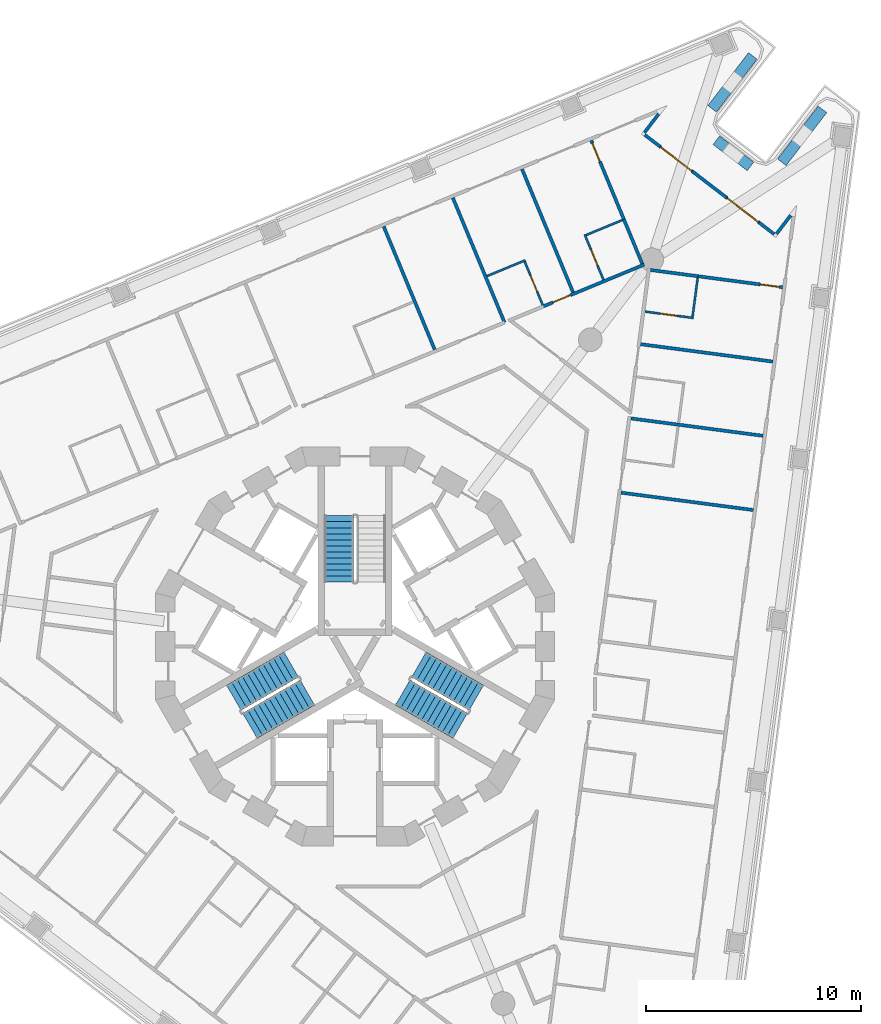
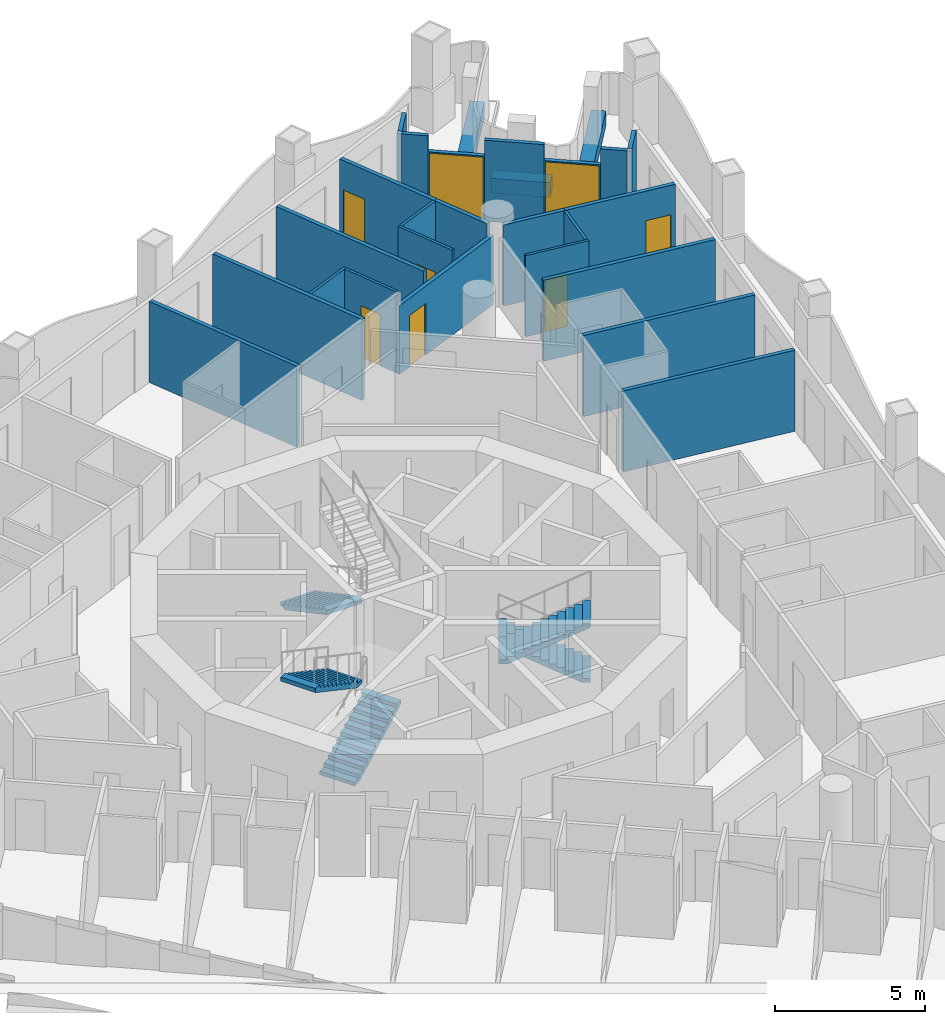
# One storey, part 10 of 18: 27 walls, 8 doors, 5 stair flights, 8 openings, 3 elements without a shape of their own.
"""IFC4 building model written with IfcOpenShell, lengths in metres."""

from ifc_helpers import new_model, si_unit, direction, frame, frame_2d, origin, place, context, subcontext, project, spatial, polyline, rectangle, outline, extrude, material, layer, layer_set, type_object, element, fill, aggregate, save


model = new_model("IFC4")

# Units and contexts
model_context = context("Model", 3, precision=1e-05, world=origin(), true_north=direction((0.0, 1.0)))
body_context = subcontext(model_context, "Body", "Model", "MODEL_VIEW")
ifc_project = project(units=[si_unit("LENGTHUNIT", "METRE"), si_unit("AREAUNIT", "SQUARE_METRE"), si_unit("VOLUMEUNIT", "CUBIC_METRE"), si_unit("PLANEANGLEUNIT", "RADIAN"), si_unit("MASSUNIT", "GRAM", prefix="KILO")], contexts=[model_context])

# Site, building, storey
site_placement = place(None, origin())
site = spatial("IfcSite", under=ifc_project, at=site_placement, CompositionType="ELEMENT")
building_placement = place(site_placement, origin())
building = spatial("IfcBuilding", under=site, at=building_placement, Name="Trine Commons Tower", CompositionType="ELEMENT")
storey_placement = place(building_placement, frame((0.0, 0.0, 145.800048828125)))
storey = spatial("IfcBuildingStorey", under=building, at=storey_placement, Name="L37", CompositionType="ELEMENT", Elevation=145.800048828125)

# Walls
ifc_material_1 = material(Name="Aluminium-framed insulated wall panel", Category="aluminium")
ifc_layer_1 = layer(ifc_material_1, 0.14990234375)
ifc_layer_set_1 = layer_set([ifc_layer_1], Name="Aluminium-framed insulated wall panel")
wall_type_1 = type_object("IfcWallType", Name="Glazed frame wall 150, EI 60", PredefinedType="SOLIDWALL", material=ifc_layer_set_1)
wall_1_placement = place(storey_placement, frame((94.193115234375, 87.345703125, 0.0), z_axis=(0.0, 0.0, 1.0), x_axis=(-0.608762998157, -0.793352136239, 0.0)))
element("IfcWall", 1, at=wall_1_placement, inside=storey, type_object=wall_type_1, Name="Glazed frame wall R5", PredefinedType="SOLIDWALL", context=body_context, shape_type="SweptSolid", body=[
    extrude(outline(polyline([(0.1494140625, 0.074951171875), (0.1494140625, -0.074951171875), (1.235107421875, -0.074951171875), (1.235107421875, 0.074951171875), (0.1494140625, 0.074951171875)])), origin(), (0.0, 0.0, 1.0), 3.300048828125),
])
wall_2_placement = place(storey_placement, frame((93.36767578125, 86.32763671875, 0.0), z_axis=(0.0, 0.0, 1.0), x_axis=(0.793331259853, -0.608790203715, 0.0)))
element("IfcWall", 2, at=wall_2_placement, inside=storey, type_object=wall_type_1, Name="Glazed frame wall P2.1", PredefinedType="SOLIDWALL", context=body_context, shape_type="SweptSolid", body=[
    extrude(outline(polyline([(0.110107421875, -0.074951171875), (1.0, -0.074951171875), (1.0, 0.074951171875), (0.110107421875, 0.074951171875), (0.110107421875, -0.074951171875)])), origin(), (0.0, 0.0, 1.0), 3.300048828125),
])

# Wall, opening, door
wall_3_placement = place(storey_placement, frame((94.1611328125, 85.71875, 0.0), z_axis=(0.0, 0.0, 1.0), x_axis=(0.793382932281, -0.608722862036, 0.0)))
wall_3 = element("IfcWall", 3, at=wall_3_placement, inside=storey, type_object=wall_type_1, Name="Glazed frame wall P2.2", PredefinedType="SOLIDWALL", context=body_context, shape_type="SweptSolid", body=[
    extrude(outline(polyline([(0.0, -0.074951171875), (1.89990234375, -0.074951171875), (1.89990234375, 0.074951171875), (0.0, 0.074951171875), (0.0, -0.074951171875)])), origin(), (0.0, 0.0, 1.0), 2.64990234375),
])
opening_1_placement = place(wall_3_placement, frame((0.050048828125, 0.0, 0.0)))
opening_1 = element("IfcOpeningElement", 4, at=opening_1_placement, cuts=wall_3, Name="Opening BD-4P2-01", PredefinedType="OPENING", context=body_context, shape_type="SweptSolid", body=[
    extrude(rectangle(XDim=1.800048828125, YDim=2.60009765625, at=frame_2d((0.89990234375, 1.300048828125))), frame((0.0, 0.0849609375, 0.0), z_axis=(0.0, -1.0, 0.0), x_axis=(1.0, 0.0, 0.0)), (0.0, 0.0, 1.0), 0.169921875),
])
ifc_material_2 = material(Name="Anodised aluminium frame with double glazing", Category="aluminium")
door_type_1 = type_object("IfcDoorType", Name="Sliding loggia door 1800x2600", OperationType="SLIDING_TO_LEFT", PredefinedType="DOOR", material=ifc_material_2)
door_1_placement = place(opening_1_placement, origin())
door_1 = element("IfcDoor", 5, at=door_1_placement, inside=storey, type_object=door_type_1, Name="Loggia door P2 1", OperationType="SLIDING_TO_LEFT", OverallHeight=2.60009765625, OverallWidth=1.800048828125, PredefinedType="DOOR", context=body_context, shape_type="SweptSolid", body=[
    extrude(rectangle(XDim=1.800048828125, YDim=2.60009765625, at=frame_2d((0.89990234375, 1.300048828125))), frame((0.0, 0.02490234375, 0.0), z_axis=(0.0, -1.0, 0.0), x_axis=(1.0, 0.0, 0.0)), (0.0, 0.0, 1.0), 0.050048828125),
])
fill(opening_1, door_1)

# Wall
wall_4_placement = place(storey_placement, frame((95.66845703125, 84.562255859375, 0.0), z_axis=(0.0, 0.0, 1.0), x_axis=(0.793344974033, -0.608772331974, 0.0)))
element("IfcWall", 6, at=wall_4_placement, inside=storey, type_object=wall_type_1, Name="Glazed frame wall P2.3", PredefinedType="SOLIDWALL", context=body_context, shape_type="SweptSolid", body=[
    extrude(outline(polyline([(0.0, -0.074951171875), (2.0, -0.074951171875), (2.0, 0.074951171875), (0.0, 0.074951171875), (0.0, -0.074951171875)])), origin(), (0.0, 0.0, 1.0), 3.300048828125),
])

# Wall, opening, door
wall_5_placement = place(storey_placement, frame((97.255126953125, 83.3447265625, 0.0), z_axis=(0.0, 0.0, 1.0), x_axis=(0.793320872023, -0.608803740143, 0.0)))
wall_5 = element("IfcWall", 7, at=wall_5_placement, inside=storey, type_object=wall_type_1, Name="Glazed frame wall P2.4", PredefinedType="SOLIDWALL", context=body_context, shape_type="SweptSolid", body=[
    extrude(outline(polyline([(0.0, -0.074951171875), (1.89990234375, -0.074951171875), (1.89990234375, 0.074951171875), (0.0, 0.074951171875), (0.0, -0.074951171875)])), origin(), (0.0, 0.0, 1.0), 2.64990234375),
])
opening_2_placement = place(wall_5_placement, frame((0.050048828125, 0.0, 0.0)))
opening_2 = element("IfcOpeningElement", 8, at=opening_2_placement, cuts=wall_5, Name="Opening BD-4P2-02", PredefinedType="OPENING", context=body_context, shape_type="SweptSolid", body=[
    extrude(rectangle(XDim=1.800048828125, YDim=2.60009765625, at=frame_2d((0.89990234375, 1.300048828125))), frame((0.0, 0.0849609375, 0.0), z_axis=(0.0, -1.0, 0.0), x_axis=(1.0, 0.0, 0.0)), (0.0, 0.0, 1.0), 0.169921875),
])
door_2_placement = place(opening_2_placement, origin())
door_2 = element("IfcDoor", 9, at=door_2_placement, inside=storey, type_object=door_type_1, Name="Loggia door P2 2", OperationType="SLIDING_TO_LEFT", OverallHeight=2.60009765625, OverallWidth=1.800048828125, PredefinedType="DOOR", context=body_context, shape_type="SweptSolid", body=[
    extrude(rectangle(XDim=1.800048828125, YDim=2.60009765625, at=frame_2d((0.89990234375, 1.300048828125))), frame((0.0, 0.02490234375, 0.0), z_axis=(0.0, -1.0, 0.0), x_axis=(1.0, 0.0, 0.0)), (0.0, 0.0, 1.0), 0.050048828125),
])
fill(opening_2, door_2)

# Walls
wall_6_placement = place(storey_placement, frame((98.762451171875, 82.18798828125, 0.0), z_axis=(0.0, 0.0, 1.0), x_axis=(0.793449156962, -0.60863653794, 0.0)))
element("IfcWall", 10, at=wall_6_placement, inside=storey, type_object=wall_type_1, Name="Glazed frame wall P2.5", PredefinedType="SOLIDWALL", context=body_context, shape_type="SweptSolid", body=[
    extrude(outline(polyline([(0.889892578125, 0.074951171875), (0.0, 0.074951171875), (0.0, -0.074951171875), (0.889892578125, -0.074951171875), (0.889892578125, 0.074951171875)])), origin(), (0.0, 0.0, 1.0), 3.300048828125),
])
wall_7_placement = place(storey_placement, frame((99.5068359375, 81.57275390625, 0.0), z_axis=(0.0, 0.0, 1.0), x_axis=(0.608762998157, 0.793352136239, 0.0)))
element("IfcWall", 11, at=wall_7_placement, inside=storey, type_object=wall_type_1, Name="Glazed frame wall R7", PredefinedType="SOLIDWALL", context=body_context, shape_type="SweptSolid", body=[
    extrude(outline(polyline([(0.110107421875, 0.074951171875), (0.110107421875, -0.074951171875), (1.19580078125, -0.074951171875), (1.19580078125, 0.074951171875), (0.110107421875, 0.074951171875)])), origin(), (0.0, 0.0, 1.0), 3.300048828125),
])
ifc_material_3 = material(Name="Planter trough, precast concrete C40/50", Category="concrete")
ifc_layer_2 = layer(ifc_material_3, 0.5)
ifc_layer_set_2 = layer_set([ifc_layer_2], Name="Planter trough, precast concrete C40/50")
wall_type_2 = type_object("IfcWallType", Name="Planter trough 500x600", PredefinedType="PARAPET", material=ifc_layer_set_2)
wall_8_placement = place(storey_placement, frame((98.474609375, 89.927490234375, 0.0), z_axis=(0.0, 0.0, 1.0), x_axis=(-0.608796883945, -0.793326133503, 0.0)))
element("IfcWall", 12, at=wall_8_placement, inside=storey, type_object=wall_type_2, Name="Planter 4", PredefinedType="PARAPET", context=body_context, shape_type="SweptSolid", body=[
    extrude(rectangle(XDim=3.099853515625, YDim=0.5, at=frame_2d((1.5498046875, 0.0))), origin(), (0.0, 0.0, 1.0), 0.599853515625),
])
wall_9_placement = place(storey_placement, frame((96.779296875, 86.010009765625, 0.0), z_axis=(0.0, 0.0, 1.0), x_axis=(0.793390207748, -0.608713379391, 0.0)))
element("IfcWall", 13, at=wall_9_placement, inside=storey, type_object=wall_type_2, Name="Planter 5", PredefinedType="PARAPET", context=body_context, shape_type="SweptSolid", body=[
    extrude(rectangle(XDim=2.000244140625, YDim=0.5, at=frame_2d((1.0, 0.0))), origin(), (0.0, 0.0, 1.0), 0.599853515625),
])
wall_10_placement = place(storey_placement, frame((99.82421875, 84.984619140625, 0.0), z_axis=(0.0, 0.0, 1.0), x_axis=(0.608796883945, 0.793326133503, 0.0)))
element("IfcWall", 14, at=wall_10_placement, inside=storey, type_object=wall_type_2, Name="Planter 6", PredefinedType="PARAPET", context=body_context, shape_type="SweptSolid", body=[
    extrude(rectangle(XDim=3.099853515625, YDim=0.5, at=frame_2d((1.5498046875, 0.0))), origin(), (0.0, 0.0, 1.0), 0.599853515625),
])
ifc_material_4 = material(Name="Gypsum plasterboard on steel stud", Category="steel")
ifc_layer_3 = layer(ifc_material_4, 0.14990234375)
ifc_layer_set_3 = layer_set([ifc_layer_3], Name="Gypsum plasterboard on steel stud")
wall_type_3 = type_object("IfcWallType", Name="Unit and corridor wall 150 mm, EI 60", PredefinedType="PARTITIONING", material=ifc_layer_set_3)
wall_11_placement = place(storey_placement, frame((81.329345703125, 82.007080078125, 0.0), z_axis=(0.0, 0.0, 1.0), x_axis=(0.382731197273, -0.923859746192, 0.0)))
element("IfcWall", 15, at=wall_11_placement, inside=storey, type_object=wall_type_3, Name="Partition 076", PredefinedType="PARTITIONING", context=body_context, shape_type="SweptSolid", body=[
    extrude(rectangle(XDim=6.194580078125, YDim=0.14990234375, at=frame_2d((3.09716796875, 0.0))), origin(), (0.0, 0.0, 1.0), 3.300048828125),
])
wall_12_placement = place(storey_placement, frame((84.542236328125, 83.337890625, 0.0), z_axis=(0.0, 0.0, 1.0), x_axis=(0.382756471404, -0.923849275368, 0.0)))
element("IfcWall", 16, at=wall_12_placement, inside=storey, type_object=wall_type_3, Name="Partition 091", PredefinedType="PARTITIONING", context=body_context, shape_type="SweptSolid", body=[
    extrude(rectangle(XDim=6.26953125, YDim=0.14990234375, at=frame_2d((3.134765625, 0.0))), origin(), (0.0, 0.0, 1.0), 3.300048828125),
])
wall_13_placement = place(storey_placement, frame((87.75537109375, 84.66796875, 0.0), z_axis=(0.0, 0.0, 1.0), x_axis=(0.382666303598, -0.923886627293, 0.0)))
element("IfcWall", 17, at=wall_13_placement, inside=storey, type_object=wall_type_3, Name="Partition 100", PredefinedType="PARTITIONING", context=body_context, shape_type="SweptSolid", body=[
    extrude(rectangle(XDim=6.193115234375, YDim=0.14990234375, at=frame_2d((3.0966796875, 0.0))), origin(), (0.0, 0.0, 1.0), 3.300048828125),
])

# Wall, opening, door
wall_14_placement = place(storey_placement, frame((88.69287109375, 78.27197265625, 0.0), z_axis=(0.0, 0.0, 1.0), x_axis=(0.92395946552, 0.382490399978, 0.0)))
wall_14 = element("IfcWall", 18, at=wall_14_placement, inside=storey, type_object=wall_type_3, Name="Partition 108", PredefinedType="PARTITIONING", context=body_context, shape_type="SweptSolid", body=[
    extrude(rectangle(XDim=5.1337890625, YDim=0.14990234375, at=frame_2d((2.56689453125, 0.0))), origin(), (0.0, 0.0, 1.0), 2.800048828125),
])
opening_3_placement = place(wall_14_placement, frame((0.531494140625, 0.0, 0.0)))
opening_3 = element("IfcOpeningElement", 19, at=opening_3_placement, cuts=wall_14, Name="Opening D-4C12", PredefinedType="OPENING", context=body_context, shape_type="SweptSolid", body=[
    extrude(rectangle(XDim=0.89990234375, YDim=2.10009765625, at=frame_2d((0.449951171875, 1.050048828125))), frame((0.0, 0.0849609375, 0.0), z_axis=(0.0, -1.0, 0.0), x_axis=(1.0, 0.0, 0.0)), (0.0, 0.0, 1.0), 0.169921875),
])
ifc_material_5 = material(Name="Timber fire door set", Category="wood")
door_type_2 = type_object("IfcDoorType", Name="Bedroom door 900 x 2100, FD30S", OperationType="NOTDEFINED", PredefinedType="DOOR", material=ifc_material_5)
door_3_placement = place(opening_3_placement, origin())
door_3 = element("IfcDoor", 20, at=door_3_placement, inside=storey, type_object=door_type_2, Name="Door D-4C12", OperationType="SINGLE_SWING_LEFT", OverallHeight=2.10009765625, OverallWidth=0.89990234375, PredefinedType="DOOR", context=body_context, shape_type="SweptSolid", body=[
    extrude(rectangle(XDim=0.89990234375, YDim=2.10009765625, at=frame_2d((0.449951171875, 1.050048828125))), frame((0.0, 0.02490234375, 0.0), z_axis=(0.0, -1.0, 0.0), x_axis=(1.0, 0.0, 0.0)), (0.0, 0.0, 1.0), 0.050048828125),
])
fill(opening_3, door_3)

wall_15_placement = place(storey_placement, frame((90.96826171875, 85.9990234375, 0.0), z_axis=(0.0, 0.0, 1.0), x_axis=(0.382692977479, -0.923875578738, 0.0)))
wall_15 = element("IfcWall", 21, at=wall_15_placement, inside=storey, type_object=wall_type_3, Name="Partition 122", PredefinedType="PARTITIONING", context=body_context, shape_type="SweptSolid", body=[
    extrude(rectangle(XDim=4.023681640625, YDim=0.14990234375, at=frame_2d((2.01171875, 0.0))), origin(), (0.0, 0.0, 1.0), 3.300048828125),
])
opening_4_placement = place(wall_15_placement, frame((0.14990234375, 0.0, 0.0)))
opening_4 = element("IfcOpeningElement", 22, at=opening_4_placement, cuts=wall_15, Name="Opening D-4C13", PredefinedType="OPENING", context=body_context, shape_type="SweptSolid", body=[
    extrude(rectangle(XDim=0.89990234375, YDim=2.10009765625, at=frame_2d((0.449951171875, 1.050048828125))), frame((0.0, 0.0849609375, 0.0), z_axis=(0.0, -1.0, 0.0), x_axis=(1.0, 0.0, 0.0)), (0.0, 0.0, 1.0), 0.169921875),
])
door_4_placement = place(opening_4_placement, frame((0.89990234375, 0.0, 0.0), z_axis=(0.0, 0.0, 1.0), x_axis=(-1.0, 0.0, 0.0)))
door_4 = element("IfcDoor", 23, at=door_4_placement, inside=storey, type_object=door_type_2, Name="Door D-4C13", OperationType="SINGLE_SWING_RIGHT", OverallHeight=2.10009765625, OverallWidth=0.89990234375, PredefinedType="DOOR", context=body_context, shape_type="SweptSolid", body=[
    extrude(rectangle(XDim=0.89990234375, YDim=2.10009765625, at=frame_2d((0.449951171875, 1.050048828125))), frame((0.0, 0.02490234375, 0.0), z_axis=(0.0, -1.0, 0.0), x_axis=(1.0, 0.0, 0.0)), (0.0, 0.0, 1.0), 0.050048828125),
])
fill(opening_4, door_4)

# Walls
wall_16_placement = place(storey_placement, frame((92.357421875, 69.64111328125, 0.0), z_axis=(0.0, 0.0, 1.0), x_axis=(0.991457381012, -0.130431060858, 0.0)))
element("IfcWall", 24, at=wall_16_placement, inside=storey, type_object=wall_type_3, Name="Partition 132", PredefinedType="PARTITIONING", context=body_context, shape_type="SweptSolid", body=[
    extrude(rectangle(XDim=6.19384765625, YDim=0.14990234375, at=frame_2d((3.096923828125, 0.0))), origin(), (0.0, 0.0, 1.0), 3.300048828125),
])
wall_17_placement = place(storey_placement, frame((92.486083984375, 82.3359375, 0.0), z_axis=(0.0, 0.0, 1.0), x_axis=(0.382374366103, -0.924007491391, 0.0)))
element("IfcWall", 25, at=wall_17_placement, inside=storey, type_object=wall_type_3, Name="Partition 135", PredefinedType="PARTITIONING", context=body_context, shape_type="SweptSolid", body=[
    extrude(rectangle(XDim=2.22900390625, YDim=0.14990234375, at=frame_2d((1.114501953125, 0.0))), origin(), (0.0, 0.0, 1.0), 3.300048828125),
])
wall_18_placement = place(storey_placement, frame((92.811279296875, 73.089111328125, 0.0), z_axis=(0.0, 0.0, 1.0), x_axis=(0.991458051546, -0.130425963766, 0.0)))
element("IfcWall", 26, at=wall_18_placement, inside=storey, type_object=wall_type_3, Name="Partition 136", PredefinedType="PARTITIONING", context=body_context, shape_type="SweptSolid", body=[
    extrude(rectangle(XDim=6.194091796875, YDim=0.14990234375, at=frame_2d((3.09716796875, 0.0))), origin(), (0.0, 0.0, 1.0), 3.300048828125),
])
wall_19_placement = place(storey_placement, frame((93.264404296875, 76.537109375, 0.0), z_axis=(0.0, 0.0, 1.0), x_axis=(0.991439668145, -0.130565632649, 0.0)))
element("IfcWall", 27, at=wall_19_placement, inside=storey, type_object=wall_type_3, Name="Partition 142", PredefinedType="PARTITIONING", context=body_context, shape_type="SweptSolid", body=[
    extrude(rectangle(XDim=6.19482421875, YDim=0.14990234375, at=frame_2d((3.097412109375, 0.0))), origin(), (0.0, 0.0, 1.0), 3.300048828125),
])
wall_20_placement = place(storey_placement, frame((93.718505859375, 79.984130859375, 0.0), z_axis=(0.0, 0.0, 1.0), x_axis=(0.991444602233, -0.130528160577, 0.0)))
element("IfcWall", 28, at=wall_20_placement, inside=storey, type_object=wall_type_3, Name="Partition 146", PredefinedType="PARTITIONING", context=body_context, shape_type="SweptSolid", body=[
    extrude(rectangle(XDim=2.2294921875, YDim=0.14990234375, at=frame_2d((1.11474609375, 0.0))), origin(), (0.0, 0.0, 1.0), 3.300048828125),
])

# Wall, opening, door
wall_21_placement = place(storey_placement, frame((95.871337890625, 79.700439453125, 0.0), z_axis=(0.0, 0.0, 1.0), x_axis=(0.991472672227, -0.130314773632, 0.0)))
wall_21 = element("IfcWall", 29, at=wall_21_placement, inside=storey, type_object=wall_type_3, Name="Partition 151", PredefinedType="PARTITIONING", context=body_context, shape_type="SweptSolid", body=[
    extrude(rectangle(XDim=4.022216796875, YDim=0.14990234375, at=frame_2d((2.01123046875, 0.0))), origin(), (0.0, 0.0, 1.0), 3.300048828125),
])
opening_5_placement = place(wall_21_placement, frame((2.972412109375, 0.0, 0.0)))
opening_5 = element("IfcOpeningElement", 30, at=opening_5_placement, cuts=wall_21, Name="Opening D-4C14", PredefinedType="OPENING", context=body_context, shape_type="SweptSolid", body=[
    extrude(rectangle(XDim=0.89990234375, YDim=2.10009765625, at=frame_2d((0.449951171875, 1.050048828125))), frame((0.0, 0.0849609375, 0.0), z_axis=(0.0, -1.0, 0.0), x_axis=(1.0, 0.0, 0.0)), (0.0, 0.0, 1.0), 0.169921875),
])
door_5_placement = place(opening_5_placement, frame((0.89990234375, 0.0, 0.0), z_axis=(0.0, 0.0, 1.0), x_axis=(-1.0, 0.0, 0.0)))
door_5 = element("IfcDoor", 31, at=door_5_placement, inside=storey, type_object=door_type_2, Name="Door D-4C14", OperationType="SINGLE_SWING_LEFT", OverallHeight=2.10009765625, OverallWidth=0.89990234375, PredefinedType="DOOR", context=body_context, shape_type="SweptSolid", body=[
    extrude(rectangle(XDim=0.89990234375, YDim=2.10009765625, at=frame_2d((0.449951171875, 1.050048828125))), frame((0.0, 0.02490234375, 0.0), z_axis=(0.0, -1.0, 0.0), x_axis=(1.0, 0.0, 0.0)), (0.0, 0.0, 1.0), 0.050048828125),
])
fill(opening_5, door_5)

# Wall
ifc_layer_4 = layer(ifc_material_4, 0.10009765625)
ifc_layer_set_4 = layer_set([ifc_layer_4], Name="Gypsum plasterboard on steel stud")
wall_type_4 = type_object("IfcWallType", Name="Unit partition 100 mm, no rating", PredefinedType="PARTITIONING", material=ifc_layer_set_4)
wall_22_placement = place(storey_placement, frame((86.13037109375, 79.69970703125, 0.0), z_axis=(0.0, 0.0, 1.0), x_axis=(0.923967386518, 0.38247126513, 0.0)))
element("IfcWall", 32, at=wall_22_placement, inside=storey, type_object=wall_type_4, Name="Partition 094", PredefinedType="PARTITIONING", context=body_context, shape_type="SweptSolid", body=[
    extrude(rectangle(XDim=1.92529296875, YDim=0.10009765625, at=frame_2d((0.962646484375, 0.0))), origin(), (0.0, 0.0, 1.0), 3.300048828125),
])

# Wall, opening, door
wall_23_placement = place(storey_placement, frame((87.882080078125, 80.370849609375, 0.0), z_axis=(0.0, 0.0, 1.0), x_axis=(0.382645891508, -0.92389508155, 0.0)))
wall_23 = element("IfcWall", 33, at=wall_23_placement, inside=storey, type_object=wall_type_4, Name="Partition 102", PredefinedType="PARTITIONING", context=body_context, shape_type="SweptSolid", body=[
    extrude(rectangle(XDim=2.175048828125, YDim=0.10009765625, at=frame_2d((1.08740234375, 0.0))), origin(), (0.0, 0.0, 1.0), 3.300048828125),
])
opening_6_placement = place(wall_23_placement, frame((0.6875, 0.0, 0.0)))
opening_6 = element("IfcOpeningElement", 34, at=opening_6_placement, cuts=wall_23, Name="Opening D-4C44", PredefinedType="OPENING", context=body_context, shape_type="SweptSolid", body=[
    extrude(rectangle(XDim=0.800048828125, YDim=2.10009765625, at=frame_2d((0.39990234375, 1.050048828125))), frame((0.0, 0.06005859375, 0.0), z_axis=(0.0, -1.0, 0.0), x_axis=(1.0, 0.0, 0.0)), (0.0, 0.0, 1.0), 0.1201171875),
])
ifc_material_6 = material(Name="Painted timber", Category="wood")
door_type_3 = type_object("IfcDoorType", Name="Internal door 800 x 2100, NOT RATED", OperationType="NOTDEFINED", PredefinedType="DOOR", material=ifc_material_6)
door_6_placement = place(opening_6_placement, origin())
door_6 = element("IfcDoor", 35, at=door_6_placement, inside=storey, type_object=door_type_3, Name="Door D-4C44", OperationType="SINGLE_SWING_RIGHT", OverallHeight=2.10009765625, OverallWidth=0.800048828125, PredefinedType="DOOR", context=body_context, shape_type="SweptSolid", body=[
    extrude(rectangle(XDim=0.800048828125, YDim=2.10009765625, at=frame_2d((0.39990234375, 1.050048828125))), frame((0.0, 0.02490234375, 0.0), z_axis=(0.0, -1.0, 0.0), x_axis=(1.0, 0.0, 0.0)), (0.0, 0.0, 1.0), 0.050048828125),
])
fill(opening_6, door_6)

wall_24_placement = place(storey_placement, frame((90.666015625, 81.632080078125, 0.0), z_axis=(0.0, 0.0, 1.0), x_axis=(0.382595073996, -0.923916126796, 0.0)))
wall_24 = element("IfcWall", 36, at=wall_24_placement, inside=storey, type_object=wall_type_4, Name="Partition 118", PredefinedType="PARTITIONING", context=body_context, shape_type="SweptSolid", body=[
    extrude(rectangle(XDim=2.27490234375, YDim=0.10009765625, at=frame_2d((1.137451171875, 0.0))), origin(), (0.0, 0.0, 1.0), 3.300048828125),
])
opening_7_placement = place(wall_24_placement, frame((0.7626953125, 0.0, 0.0)))
opening_7 = element("IfcOpeningElement", 37, at=opening_7_placement, cuts=wall_24, Name="Opening D-4C45", PredefinedType="OPENING", context=body_context, shape_type="SweptSolid", body=[
    extrude(rectangle(XDim=0.800048828125, YDim=2.10009765625, at=frame_2d((0.39990234375, 1.050048828125))), frame((0.0, 0.06005859375, 0.0), z_axis=(0.0, -1.0, 0.0), x_axis=(1.0, 0.0, 0.0)), (0.0, 0.0, 1.0), 0.1201171875),
])
door_7_placement = place(opening_7_placement, frame((0.800048828125, 0.0, 0.0), z_axis=(0.0, 0.0, 1.0), x_axis=(-1.0, 0.0, 0.0)))
door_7 = element("IfcDoor", 38, at=door_7_placement, inside=storey, type_object=door_type_3, Name="Door D-4C45", OperationType="SINGLE_SWING_LEFT", OverallHeight=2.10009765625, OverallWidth=0.800048828125, PredefinedType="DOOR", context=body_context, shape_type="SweptSolid", body=[
    extrude(rectangle(XDim=0.800048828125, YDim=2.10009765625, at=frame_2d((0.39990234375, 1.050048828125))), frame((0.0, 0.02490234375, 0.0), z_axis=(0.0, -1.0, 0.0), x_axis=(1.0, 0.0, 0.0)), (0.0, 0.0, 1.0), 0.050048828125),
])
fill(opening_7, door_7)

# Wall
wall_25_placement = place(storey_placement, frame((90.731201171875, 81.60498046875, 0.0), z_axis=(0.0, 0.0, 1.0), x_axis=(0.923945120737, 0.382525049986, 0.0)))
element("IfcWall", 39, at=wall_25_placement, inside=storey, type_object=wall_type_4, Name="Partition 119", PredefinedType="PARTITIONING", context=body_context, shape_type="SweptSolid", body=[
    extrude(rectangle(XDim=1.825439453125, YDim=0.10009765625, at=frame_2d((0.91259765625, 0.0))), origin(), (0.0, 0.0, 1.0), 3.300048828125),
])

# Wall, opening, door
wall_26_placement = place(storey_placement, frame((93.46435546875, 78.05126953125, 0.0), z_axis=(0.0, 0.0, 1.0), x_axis=(0.991445890878, -0.130518372124, 0.0)))
wall_26 = element("IfcWall", 40, at=wall_26_placement, inside=storey, type_object=wall_type_4, Name="Partition 145", PredefinedType="PARTITIONING", context=body_context, shape_type="SweptSolid", body=[
    extrude(rectangle(XDim=2.274658203125, YDim=0.10009765625, at=frame_2d((1.13720703125, 0.0))), origin(), (0.0, 0.0, 1.0), 3.300048828125),
])
opening_8_placement = place(wall_26_placement, frame((0.71240234375, 0.0, 0.0)))
opening_8 = element("IfcOpeningElement", 41, at=opening_8_placement, cuts=wall_26, Name="Opening D-4C46", PredefinedType="OPENING", context=body_context, shape_type="SweptSolid", body=[
    extrude(rectangle(XDim=0.800048828125, YDim=2.10009765625, at=frame_2d((0.39990234375, 1.050048828125))), frame((0.0, 0.06005859375, 0.0), z_axis=(0.0, -1.0, 0.0), x_axis=(1.0, 0.0, 0.0)), (0.0, 0.0, 1.0), 0.1201171875),
])
door_8_placement = place(opening_8_placement, frame((0.800048828125, 0.0, 0.0), z_axis=(0.0, 0.0, 1.0), x_axis=(-1.0, 0.0, 0.0)))
door_8 = element("IfcDoor", 42, at=door_8_placement, inside=storey, type_object=door_type_3, Name="Door D-4C46", OperationType="SINGLE_SWING_RIGHT", OverallHeight=2.10009765625, OverallWidth=0.800048828125, PredefinedType="DOOR", context=body_context, shape_type="SweptSolid", body=[
    extrude(rectangle(XDim=0.800048828125, YDim=2.10009765625, at=frame_2d((0.39990234375, 1.050048828125))), frame((0.0, 0.02490234375, 0.0), z_axis=(0.0, -1.0, 0.0), x_axis=(1.0, 0.0, 0.0)), (0.0, 0.0, 1.0), 0.050048828125),
])
fill(opening_8, door_8)

# Wall
wall_27_placement = place(storey_placement, frame((95.676513671875, 77.810546875, 0.0), z_axis=(0.0, 0.0, 1.0), x_axis=(0.130849048899, 0.991402303004, 0.0)))
element("IfcWall", 43, at=wall_27_placement, inside=storey, type_object=wall_type_4, Name="Partition 150", PredefinedType="PARTITIONING", context=body_context, shape_type="SweptSolid", body=[
    extrude(rectangle(XDim=1.82470703125, YDim=0.10009765625, at=frame_2d((0.912353515625, 0.0))), origin(), (0.0, 0.0, 1.0), 3.300048828125),
])

# Stair, stair flight
ifc_material_7 = material(Name="Concrete C50/60", Category="concrete")
stair_type = type_object("IfcStairType", Name="Exit stair, dog-leg, 24 risers of 150 mm", PredefinedType="HALF_TURN_STAIR", material=ifc_material_7)
stair_1_placement = place(storey_placement, origin())
stair_1 = element("IfcStair", 44, at=stair_1_placement, inside=storey, type_object=stair_type, Name="L37 Exit stair ST1B", PredefinedType="HALF_TURN_STAIR")
stair_flight_type = type_object("IfcStairFlightType", Name="Stair flight, 1350 wide, 12 risers of 150 mm", PredefinedType="STRAIGHT", material=ifc_material_7)
stair_flight_1_placement = place(storey_placement, frame((79.25, 68.570556640625, 0.0), z_axis=(0.0, 0.0, 1.0), x_axis=(0.0, -1.0, 0.0)))
stair_flight_1 = element("IfcStairFlight", 45, at=stair_flight_1_placement, type_object=stair_flight_type, Name="ST1B flight 1", NumberOfRisers=12, NumberOfTreads=11, PredefinedType="STRAIGHT", RiserHeight=0.15, TreadLength=0.28, context=body_context, shape_type="SweptSolid", body=[
    extrude(outline(polyline([(0.0, 0.0), (0.0, 0.14990234375), (0.280029296875, 0.14990234375), (0.280029296875, 0.300048828125), (0.56005859375, 0.300048828125), (0.56005859375, 0.449951171875), (0.840087890625, 0.449951171875), (0.840087890625, 0.60009765625), (1.1201171875, 0.60009765625), (1.1201171875, 0.75), (1.39990234375, 0.75), (1.39990234375, 0.89990234375), (1.679931640625, 0.89990234375), (1.679931640625, 1.050048828125), (1.9599609375, 1.050048828125), (1.9599609375, 1.199951171875), (2.239990234375, 1.199951171875), (2.239990234375, 1.35009765625), (2.52001953125, 1.35009765625), (2.52001953125, 1.5), (2.800048828125, 1.5), (2.800048828125, 1.64990234375), (3.080078125, 1.64990234375), (3.080078125, 1.800048828125), (3.080078125, 1.47998046875), (0.3173828125, 0.0), (0.0, 0.0)])), frame((0.0, 0.675048828125, 0.0), z_axis=(0.0, -1.0, 0.0), x_axis=(1.0, 0.0, 0.0)), (0.0, 0.0, 1.0), 1.35009765625),
])
aggregate(stair_1, [stair_flight_1])

# Stair, stair flights
stair_2_placement = place(storey_placement, origin())
stair_2 = element("IfcStair", 46, at=stair_2_placement, inside=storey, type_object=stair_type, Name="L37 Exit stair ST2B", PredefinedType="HALF_TURN_STAIR")
stair_flight_2_placement = place(storey_placement, frame((75.11767578125, 58.815185546875, 0.0), z_axis=(0.0, 0.0, 1.0), x_axis=(0.866025403784, 0.5, 0.0)))
stair_flight_2 = element("IfcStairFlight", 47, at=stair_flight_2_placement, type_object=stair_flight_type, Name="ST2B flight 1", NumberOfRisers=12, NumberOfTreads=11, PredefinedType="STRAIGHT", RiserHeight=0.15, TreadLength=0.28, context=body_context, shape_type="SweptSolid", body=[
    extrude(outline(polyline([(0.0, 0.0), (0.0, 0.14990234375), (0.280029296875, 0.14990234375), (0.280029296875, 0.300048828125), (0.56005859375, 0.300048828125), (0.56005859375, 0.449951171875), (0.840087890625, 0.449951171875), (0.840087890625, 0.60009765625), (1.1201171875, 0.60009765625), (1.1201171875, 0.75), (1.39990234375, 0.75), (1.39990234375, 0.89990234375), (1.679931640625, 0.89990234375), (1.679931640625, 1.050048828125), (1.9599609375, 1.050048828125), (1.9599609375, 1.199951171875), (2.239990234375, 1.199951171875), (2.239990234375, 1.35009765625), (2.52001953125, 1.35009765625), (2.52001953125, 1.5), (2.800048828125, 1.5), (2.800048828125, 1.64990234375), (3.080078125, 1.64990234375), (3.080078125, 1.800048828125), (3.080078125, 1.47998046875), (0.3173828125, 0.0), (0.0, 0.0)])), frame((0.0, 0.675048828125, 0.0), z_axis=(0.0, -1.0, 0.0), x_axis=(1.0, 0.0, 0.0)), (0.0, 0.0, 1.0), 1.35009765625),
])
stair_flight_3_placement = place(storey_placement, frame((77.03515625, 61.654296875, 1.800048828125), z_axis=(0.0, 0.0, 1.0), x_axis=(-0.866025403784, -0.5, 0.0)))
stair_flight_3 = element("IfcStairFlight", 48, at=stair_flight_3_placement, type_object=stair_flight_type, Name="ST2B flight 2", NumberOfRisers=12, NumberOfTreads=11, PredefinedType="STRAIGHT", RiserHeight=0.15, TreadLength=0.28, context=body_context, shape_type="SweptSolid", body=[
    extrude(outline(polyline([(0.0, 0.0), (0.0, 0.14990234375), (0.280029296875, 0.14990234375), (0.280029296875, 0.300048828125), (0.56005859375, 0.300048828125), (0.56005859375, 0.449951171875), (0.840087890625, 0.449951171875), (0.840087890625, 0.60009765625), (1.1201171875, 0.60009765625), (1.1201171875, 0.75), (1.39990234375, 0.75), (1.39990234375, 0.89990234375), (1.679931640625, 0.89990234375), (1.679931640625, 1.050048828125), (1.9599609375, 1.050048828125), (1.9599609375, 1.199951171875), (2.239990234375, 1.199951171875), (2.239990234375, 1.35009765625), (2.52001953125, 1.35009765625), (2.52001953125, 1.5), (2.800048828125, 1.5), (2.800048828125, 1.64990234375), (3.080078125, 1.64990234375), (3.080078125, 1.800048828125), (3.080078125, 1.47998046875), (0.3173828125, 0.0), (0.0, 0.0)])), frame((0.0, 0.675048828125, 0.0), z_axis=(0.0, -1.0, 0.0), x_axis=(1.0, 0.0, 0.0)), (0.0, 0.0, 1.0), 1.35009765625),
])
aggregate(stair_2, [stair_flight_2, stair_flight_3])

stair_3_placement = place(storey_placement, origin())
stair_3 = element("IfcStair", 49, at=stair_3_placement, inside=storey, type_object=stair_type, Name="L37 Exit stair ST3B", PredefinedType="HALF_TURN_STAIR")
stair_flight_4_placement = place(storey_placement, frame((85.63232421875, 60.1142578125, 0.0), z_axis=(0.0, 0.0, 1.0), x_axis=(-0.866025403784, 0.5, 0.0)))
stair_flight_4 = element("IfcStairFlight", 50, at=stair_flight_4_placement, type_object=stair_flight_type, Name="ST3B flight 1", NumberOfRisers=12, NumberOfTreads=11, PredefinedType="STRAIGHT", RiserHeight=0.15, TreadLength=0.28, context=body_context, shape_type="SweptSolid", body=[
    extrude(outline(polyline([(0.0, 0.0), (0.0, 0.14990234375), (0.280029296875, 0.14990234375), (0.280029296875, 0.300048828125), (0.56005859375, 0.300048828125), (0.56005859375, 0.449951171875), (0.840087890625, 0.449951171875), (0.840087890625, 0.60009765625), (1.1201171875, 0.60009765625), (1.1201171875, 0.75), (1.39990234375, 0.75), (1.39990234375, 0.89990234375), (1.679931640625, 0.89990234375), (1.679931640625, 1.050048828125), (1.9599609375, 1.050048828125), (1.9599609375, 1.199951171875), (2.239990234375, 1.199951171875), (2.239990234375, 1.35009765625), (2.52001953125, 1.35009765625), (2.52001953125, 1.5), (2.800048828125, 1.5), (2.800048828125, 1.64990234375), (3.080078125, 1.64990234375), (3.080078125, 1.800048828125), (3.080078125, 1.47998046875), (0.3173828125, 0.0), (0.0, 0.0)])), frame((0.0, 0.675048828125, 0.0), z_axis=(0.0, -1.0, 0.0), x_axis=(1.0, 0.0, 0.0)), (0.0, 0.0, 1.0), 1.35009765625),
])
stair_flight_5_placement = place(storey_placement, frame((82.21484375, 60.355224609375, 1.800048828125), z_axis=(0.0, 0.0, 1.0), x_axis=(0.866025403784, -0.5, 0.0)))
stair_flight_5 = element("IfcStairFlight", 51, at=stair_flight_5_placement, type_object=stair_flight_type, Name="ST3B flight 2", NumberOfRisers=12, NumberOfTreads=11, PredefinedType="STRAIGHT", RiserHeight=0.15, TreadLength=0.28, context=body_context, shape_type="SweptSolid", body=[
    extrude(outline(polyline([(0.0, 0.0), (0.0, 0.14990234375), (0.280029296875, 0.14990234375), (0.280029296875, 0.300048828125), (0.56005859375, 0.300048828125), (0.56005859375, 0.449951171875), (0.840087890625, 0.449951171875), (0.840087890625, 0.60009765625), (1.1201171875, 0.60009765625), (1.1201171875, 0.75), (1.39990234375, 0.75), (1.39990234375, 0.89990234375), (1.679931640625, 0.89990234375), (1.679931640625, 1.050048828125), (1.9599609375, 1.050048828125), (1.9599609375, 1.199951171875), (2.239990234375, 1.199951171875), (2.239990234375, 1.35009765625), (2.52001953125, 1.35009765625), (2.52001953125, 1.5), (2.800048828125, 1.5), (2.800048828125, 1.64990234375), (3.080078125, 1.64990234375), (3.080078125, 1.800048828125), (3.080078125, 1.47998046875), (0.3173828125, 0.0), (0.0, 0.0)])), frame((0.0, 0.675048828125, 0.0), z_axis=(0.0, -1.0, 0.0), x_axis=(1.0, 0.0, 0.0)), (0.0, 0.0, 1.0), 1.35009765625),
])
aggregate(stair_3, [stair_flight_4, stair_flight_5])

save(model, "model.ifc")
